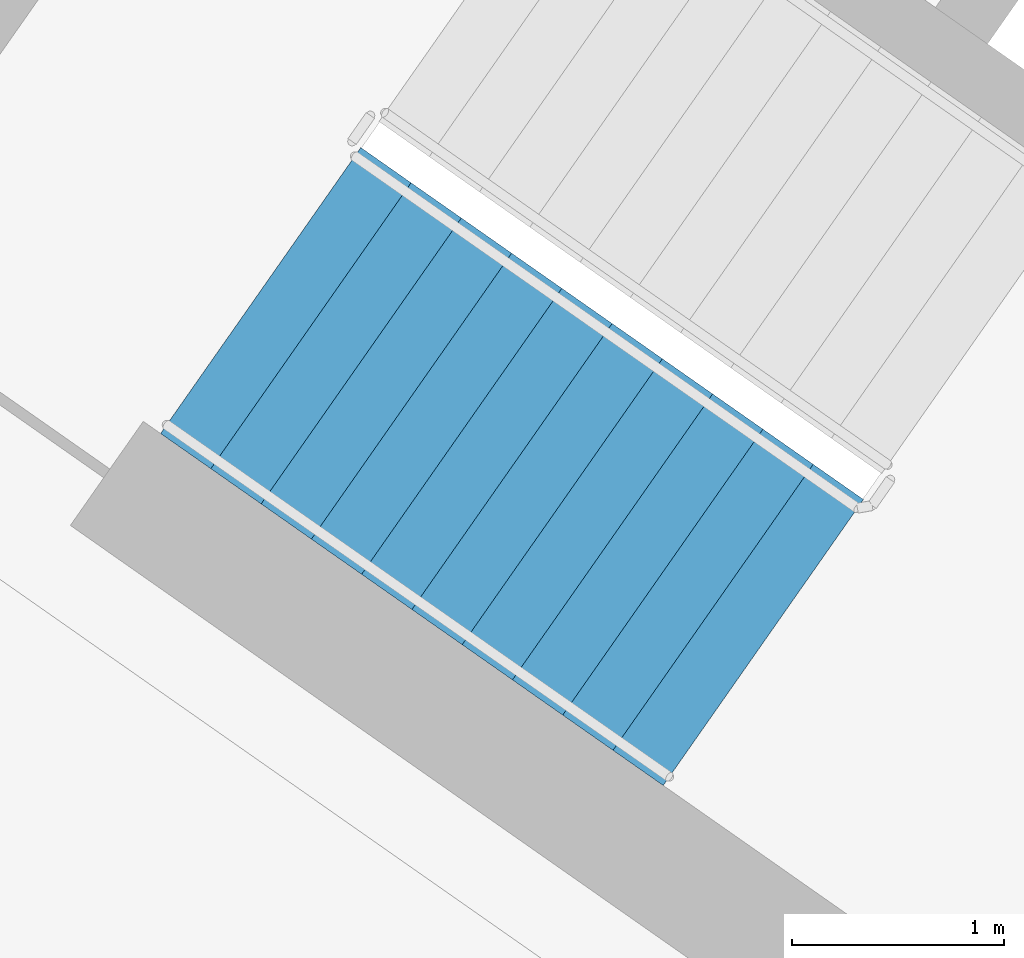
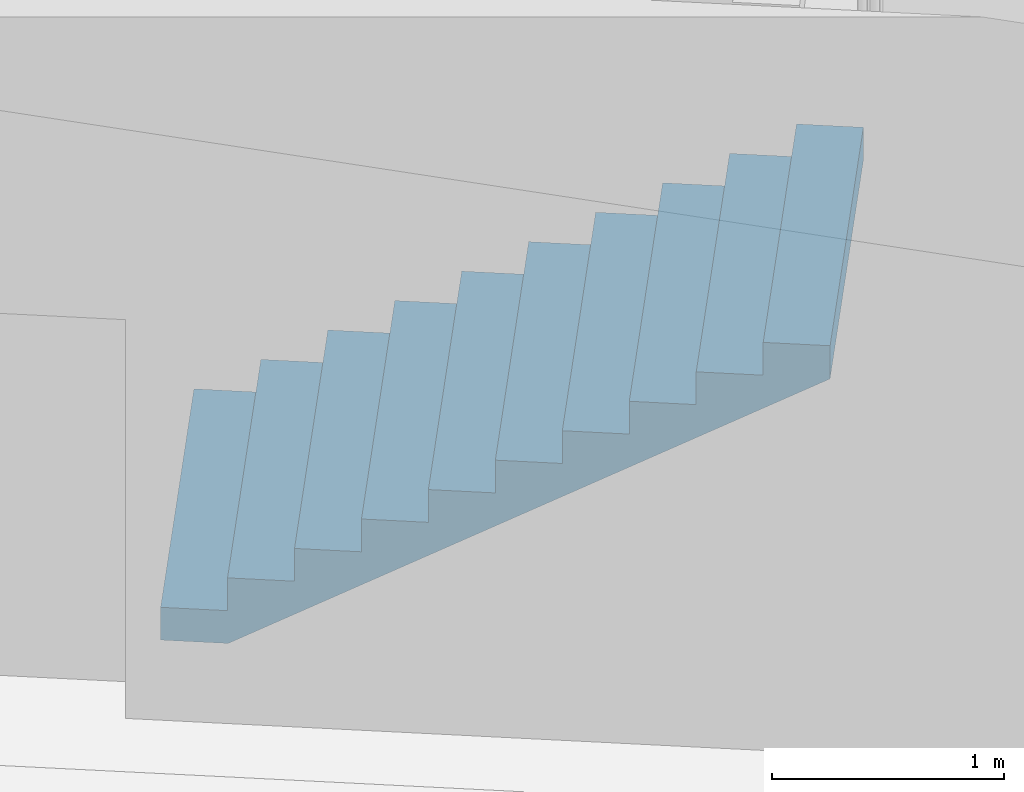
# One storey, part 9 of 28: 1 stair flight, 1 element without a shape of its own.
"""IFC4 building model written with IfcOpenShell, lengths in metres."""

from ifc_helpers import new_model, si_unit, direction, frame, origin, place, context, subcontext, project, spatial, faceted_brep, material, type_object, element, aggregate, save


model = new_model("IFC4")

# Units and contexts
model_context = context("Model", 3, precision=1e-05, world=origin(), true_north=direction((0.0, 1.0)))
body_context = subcontext(model_context, "Body", "Model", "MODEL_VIEW")
ifc_project = project(units=[si_unit("LENGTHUNIT", "METRE"), si_unit("AREAUNIT", "SQUARE_METRE"), si_unit("VOLUMEUNIT", "CUBIC_METRE"), si_unit("PLANEANGLEUNIT", "RADIAN"), si_unit("MASSUNIT", "GRAM", prefix="KILO")], contexts=[model_context])

# Site, building, storey
site_placement = place(None, origin())
site = spatial("IfcSite", under=ifc_project, at=site_placement, CompositionType="ELEMENT")
building_placement = place(site_placement, origin())
building = spatial("IfcBuilding", under=site, at=building_placement, Name="Qamariyya Broadcast Tower", CompositionType="ELEMENT")
storey_placement = place(building_placement, frame((0.0, 0.0, 226.5)))
storey = spatial("IfcBuildingStorey", under=building, at=storey_placement, Name="L54", CompositionType="ELEMENT", Elevation=226.5)

# Stair, stair flight
ifc_material = material(Name="Concrete C50/60", Category="concrete")
stair_type = type_object("IfcStairType", Name="Exit stair 22 risers of 173 mm", PredefinedType="HALF_TURN_STAIR", material=ifc_material)
stair_placement = place(storey_placement, origin())
stair = element("IfcStair", 1, at=stair_placement, inside=storey, type_object=stair_type, Name="L54 Stair W1", PredefinedType="HALF_TURN_STAIR")
stair_flight_type = type_object("IfcStairFlightType", Name="Exit stair flight 11 risers of 173 mm", PredefinedType="STRAIGHT", material=ifc_material)
stair_flight_placement = place(storey_placement, frame((-47.06884765625, -56.982666015625, 0.0), z_axis=(0.0, 0.0, 1.0), x_axis=(0.819152044289, -0.573576436351, 0.0)))
stair_flight = element("IfcStairFlight", 2, at=stair_flight_placement, type_object=stair_flight_type, Name="ST-W1 flight 1", NumberOfRisers=11, NumberOfTreads=10, PredefinedType="STRAIGHT", RiserHeight=0.172727273, TreadLength=0.29, context=body_context, shape_type="Brep", body=[
    faceted_brep([(0.0, 0.824951171875, 0.0), (0.0, 0.824951171875, 0.172607421875), (0.2900390625, 0.824951171875, 0.172607421875), (0.2900390625, 0.824951171875, 0.345458984375), (0.580078125, 0.824951171875, 0.345458984375), (0.580078125, 0.824951171875, 0.51806640625), (0.8701171875, 0.824951171875, 0.51806640625), (0.8701171875, 0.824951171875, 0.69091796875), (1.159912109375, 0.824951171875, 0.69091796875), (1.159912109375, 0.824951171875, 0.863525390625), (1.449951171875, 0.824951171875, 0.863525390625), (1.449951171875, 0.824951171875, 1.036376953125), (1.739990234375, 0.824951171875, 1.036376953125), (1.739990234375, 0.824951171875, 1.208984375), (2.030029296875, 0.824951171875, 1.208984375), (2.030029296875, 0.824951171875, 1.3818359375), (2.320068359375, 0.824951171875, 1.3818359375), (2.320068359375, 0.824951171875, 1.554443359375), (2.610107421875, 0.824951171875, 1.554443359375), (2.610107421875, 0.824951171875, 1.727294921875), (2.89990234375, 0.824951171875, 1.727294921875), (2.89990234375, 0.824951171875, 1.552734375), (0.29296875, 0.824951171875, 0.0), (0.29296875, -0.824951171875, 0.0), (2.89990234375, -0.824951171875, 1.552734375), (2.89990234375, -0.824951171875, 1.727294921875), (2.610107421875, -0.824951171875, 1.727294921875), (2.610107421875, -0.824951171875, 1.554443359375), (2.320068359375, -0.824951171875, 1.554443359375), (2.320068359375, -0.824951171875, 1.3818359375), (2.030029296875, -0.824951171875, 1.3818359375), (2.030029296875, -0.824951171875, 1.208984375), (1.739990234375, -0.824951171875, 1.208984375), (1.739990234375, -0.824951171875, 1.036376953125), (1.449951171875, -0.824951171875, 1.036376953125), (1.449951171875, -0.824951171875, 0.863525390625), (1.159912109375, -0.824951171875, 0.863525390625), (1.159912109375, -0.824951171875, 0.69091796875), (0.8701171875, -0.824951171875, 0.69091796875), (0.8701171875, -0.824951171875, 0.51806640625), (0.580078125, -0.824951171875, 0.51806640625), (0.580078125, -0.824951171875, 0.345458984375), (0.2900390625, -0.824951171875, 0.345458984375), (0.2900390625, -0.824951171875, 0.172607421875), (0.0, -0.824951171875, 0.172607421875), (0.0, -0.824951171875, 0.0), (0.0, 0.10009765625, 0.0), (0.0, 0.086669921875, 0.0), (0.0, 0.0732421875, 0.0), (0.0, 0.06005859375, 0.0), (0.0, 0.046630859375, 0.0), (0.0, 0.033447265625, 0.0), (0.0, 0.02001953125, 0.0), (0.0, 0.006591796875, 0.0), (0.0, -0.006591796875, 0.0), (0.0, -0.02001953125, 0.0), (0.0, -0.033447265625, 0.0), (0.0, -0.046630859375, 0.0), (0.0, -0.06005859375, 0.0), (0.0, -0.0732421875, 0.0), (0.0, -0.086669921875, 0.0), (0.0, -0.10009765625, 0.0), (0.0, -0.10009765625, 0.172607421875), (0.0, -0.086669921875, 0.172607421875), (0.0, -0.0732421875, 0.172607421875), (0.0, -0.06005859375, 0.172607421875), (0.0, -0.046630859375, 0.172607421875), (0.0, -0.033447265625, 0.172607421875), (0.0, -0.02001953125, 0.172607421875), (0.0, -0.006591796875, 0.172607421875), (0.0, 0.006591796875, 0.172607421875), (0.0, 0.02001953125, 0.172607421875), (0.0, 0.033447265625, 0.172607421875), (0.0, 0.046630859375, 0.172607421875), (0.0, 0.06005859375, 0.172607421875), (0.0, 0.0732421875, 0.172607421875), (0.0, 0.086669921875, 0.172607421875), (0.0, 0.10009765625, 0.172607421875), (0.2900390625, -0.10009765625, 0.172607421875), (0.2900390625, -0.086669921875, 0.172607421875), (0.2900390625, -0.0732421875, 0.172607421875), (0.2900390625, -0.06005859375, 0.172607421875), (0.2900390625, -0.046630859375, 0.172607421875), (0.2900390625, -0.033447265625, 0.172607421875), (0.2900390625, -0.02001953125, 0.172607421875), (0.2900390625, -0.006591796875, 0.172607421875), (0.2900390625, 0.006591796875, 0.172607421875), (0.2900390625, 0.02001953125, 0.172607421875), (0.2900390625, 0.033447265625, 0.172607421875), (0.2900390625, 0.046630859375, 0.172607421875), (0.2900390625, 0.06005859375, 0.172607421875), (0.2900390625, 0.0732421875, 0.172607421875), (0.2900390625, 0.086669921875, 0.172607421875), (0.2900390625, 0.10009765625, 0.172607421875), (0.2900390625, -0.10009765625, 0.345458984375), (0.2900390625, -0.086669921875, 0.345458984375), (0.2900390625, -0.0732421875, 0.345458984375), (0.2900390625, -0.06005859375, 0.345458984375), (0.2900390625, -0.046630859375, 0.345458984375), (0.2900390625, -0.033447265625, 0.345458984375), (0.2900390625, -0.02001953125, 0.345458984375), (0.2900390625, -0.006591796875, 0.345458984375), (0.2900390625, 0.006591796875, 0.345458984375), (0.2900390625, 0.02001953125, 0.345458984375), (0.2900390625, 0.033447265625, 0.345458984375), (0.2900390625, 0.046630859375, 0.345458984375), (0.2900390625, 0.06005859375, 0.345458984375), (0.2900390625, 0.0732421875, 0.345458984375), (0.2900390625, 0.086669921875, 0.345458984375), (0.2900390625, 0.10009765625, 0.345458984375), (0.580078125, -0.10009765625, 0.345458984375), (0.580078125, -0.086669921875, 0.345458984375), (0.580078125, -0.0732421875, 0.345458984375), (0.580078125, -0.06005859375, 0.345458984375), (0.580078125, -0.046630859375, 0.345458984375), (0.580078125, -0.033447265625, 0.345458984375), (0.580078125, -0.02001953125, 0.345458984375), (0.580078125, -0.006591796875, 0.345458984375), (0.580078125, 0.006591796875, 0.345458984375), (0.580078125, 0.02001953125, 0.345458984375), (0.580078125, 0.033447265625, 0.345458984375), (0.580078125, 0.046630859375, 0.345458984375), (0.580078125, 0.06005859375, 0.345458984375), (0.580078125, 0.0732421875, 0.345458984375), (0.580078125, 0.086669921875, 0.345458984375), (0.580078125, 0.10009765625, 0.345458984375), (0.580078125, -0.10009765625, 0.51806640625), (0.580078125, -0.086669921875, 0.51806640625), (0.580078125, -0.0732421875, 0.51806640625), (0.580078125, -0.06005859375, 0.51806640625), (0.580078125, -0.046630859375, 0.51806640625), (0.580078125, -0.033447265625, 0.51806640625), (0.580078125, -0.02001953125, 0.51806640625), (0.580078125, -0.006591796875, 0.51806640625), (0.580078125, 0.006591796875, 0.51806640625), (0.580078125, 0.02001953125, 0.51806640625), (0.580078125, 0.033447265625, 0.51806640625), (0.580078125, 0.046630859375, 0.51806640625), (0.580078125, 0.06005859375, 0.51806640625), (0.580078125, 0.0732421875, 0.51806640625), (0.580078125, 0.086669921875, 0.51806640625), (0.580078125, 0.10009765625, 0.51806640625), (0.8701171875, -0.10009765625, 0.51806640625), (0.8701171875, -0.086669921875, 0.51806640625), (0.8701171875, -0.0732421875, 0.51806640625), (0.8701171875, -0.06005859375, 0.51806640625), (0.8701171875, -0.046630859375, 0.51806640625), (0.8701171875, -0.033447265625, 0.51806640625), (0.8701171875, -0.02001953125, 0.51806640625), (0.8701171875, -0.006591796875, 0.51806640625), (0.8701171875, 0.006591796875, 0.51806640625), (0.8701171875, 0.02001953125, 0.51806640625), (0.8701171875, 0.033447265625, 0.51806640625), (0.8701171875, 0.046630859375, 0.51806640625), (0.8701171875, 0.06005859375, 0.51806640625), (0.8701171875, 0.0732421875, 0.51806640625), (0.8701171875, 0.086669921875, 0.51806640625), (0.8701171875, 0.10009765625, 0.51806640625), (0.8701171875, -0.10009765625, 0.69091796875), (0.8701171875, -0.086669921875, 0.69091796875), (0.8701171875, -0.0732421875, 0.69091796875), (0.8701171875, -0.06005859375, 0.69091796875), (0.8701171875, -0.046630859375, 0.69091796875), (0.8701171875, -0.033447265625, 0.69091796875), (0.8701171875, -0.02001953125, 0.69091796875), (0.8701171875, -0.006591796875, 0.69091796875), (0.8701171875, 0.006591796875, 0.69091796875), (0.8701171875, 0.02001953125, 0.69091796875), (0.8701171875, 0.033447265625, 0.69091796875), (0.8701171875, 0.046630859375, 0.69091796875), (0.8701171875, 0.06005859375, 0.69091796875), (0.8701171875, 0.0732421875, 0.69091796875), (0.8701171875, 0.086669921875, 0.69091796875), (0.8701171875, 0.10009765625, 0.69091796875), (1.159912109375, -0.10009765625, 0.69091796875), (1.159912109375, -0.086669921875, 0.69091796875), (1.159912109375, -0.0732421875, 0.69091796875), (1.159912109375, -0.06005859375, 0.69091796875), (1.159912109375, -0.046630859375, 0.69091796875), (1.159912109375, -0.033447265625, 0.69091796875), (1.159912109375, -0.02001953125, 0.69091796875), (1.159912109375, -0.006591796875, 0.69091796875), (1.159912109375, 0.006591796875, 0.69091796875), (1.159912109375, 0.02001953125, 0.69091796875), (1.159912109375, 0.033447265625, 0.69091796875), (1.159912109375, 0.046630859375, 0.69091796875), (1.159912109375, 0.06005859375, 0.69091796875), (1.159912109375, 0.0732421875, 0.69091796875), (1.159912109375, 0.086669921875, 0.69091796875), (1.159912109375, 0.10009765625, 0.69091796875), (1.159912109375, -0.10009765625, 0.863525390625), (1.159912109375, -0.086669921875, 0.863525390625), (1.159912109375, -0.0732421875, 0.863525390625), (1.159912109375, -0.06005859375, 0.863525390625), (1.159912109375, -0.046630859375, 0.863525390625), (1.159912109375, -0.033447265625, 0.863525390625), (1.159912109375, -0.02001953125, 0.863525390625), (1.159912109375, -0.006591796875, 0.863525390625), (1.159912109375, 0.006591796875, 0.863525390625), (1.159912109375, 0.02001953125, 0.863525390625), (1.159912109375, 0.033447265625, 0.863525390625), (1.159912109375, 0.046630859375, 0.863525390625), (1.159912109375, 0.06005859375, 0.863525390625), (1.159912109375, 0.0732421875, 0.863525390625), (1.159912109375, 0.086669921875, 0.863525390625), (1.159912109375, 0.10009765625, 0.863525390625), (1.449951171875, -0.10009765625, 0.863525390625), (1.449951171875, -0.086669921875, 0.863525390625), (1.449951171875, -0.0732421875, 0.863525390625), (1.449951171875, -0.06005859375, 0.863525390625), (1.449951171875, -0.046630859375, 0.863525390625), (1.449951171875, -0.033447265625, 0.863525390625), (1.449951171875, -0.02001953125, 0.863525390625), (1.449951171875, -0.006591796875, 0.863525390625), (1.449951171875, 0.006591796875, 0.863525390625), (1.449951171875, 0.02001953125, 0.863525390625), (1.449951171875, 0.033447265625, 0.863525390625), (1.449951171875, 0.046630859375, 0.863525390625), (1.449951171875, 0.06005859375, 0.863525390625), (1.449951171875, 0.0732421875, 0.863525390625), (1.449951171875, 0.086669921875, 0.863525390625), (1.449951171875, 0.10009765625, 0.863525390625), (1.449951171875, -0.10009765625, 1.036376953125), (1.449951171875, -0.086669921875, 1.036376953125), (1.449951171875, -0.0732421875, 1.036376953125), (1.449951171875, -0.06005859375, 1.036376953125), (1.449951171875, -0.046630859375, 1.036376953125), (1.449951171875, -0.033447265625, 1.036376953125), (1.449951171875, -0.02001953125, 1.036376953125), (1.449951171875, -0.006591796875, 1.036376953125), (1.449951171875, 0.006591796875, 1.036376953125), (1.449951171875, 0.02001953125, 1.036376953125), (1.449951171875, 0.033447265625, 1.036376953125), (1.449951171875, 0.046630859375, 1.036376953125), (1.449951171875, 0.06005859375, 1.036376953125), (1.449951171875, 0.0732421875, 1.036376953125), (1.449951171875, 0.086669921875, 1.036376953125), (1.449951171875, 0.10009765625, 1.036376953125), (1.739990234375, -0.10009765625, 1.036376953125), (1.739990234375, -0.086669921875, 1.036376953125), (1.739990234375, -0.0732421875, 1.036376953125), (1.739990234375, -0.06005859375, 1.036376953125), (1.739990234375, -0.046630859375, 1.036376953125), (1.739990234375, -0.033447265625, 1.036376953125), (1.739990234375, -0.02001953125, 1.036376953125), (1.739990234375, -0.006591796875, 1.036376953125), (1.739990234375, 0.006591796875, 1.036376953125), (1.739990234375, 0.02001953125, 1.036376953125), (1.739990234375, 0.033447265625, 1.036376953125), (1.739990234375, 0.046630859375, 1.036376953125), (1.739990234375, 0.06005859375, 1.036376953125), (1.739990234375, 0.0732421875, 1.036376953125), (1.739990234375, 0.086669921875, 1.036376953125), (1.739990234375, 0.10009765625, 1.036376953125), (1.739990234375, -0.10009765625, 1.208984375), (1.739990234375, -0.086669921875, 1.208984375), (1.739990234375, -0.0732421875, 1.208984375), (1.739990234375, -0.06005859375, 1.208984375), (1.739990234375, -0.046630859375, 1.208984375), (1.739990234375, -0.033447265625, 1.208984375), (1.739990234375, -0.02001953125, 1.208984375), (1.739990234375, -0.006591796875, 1.208984375), (1.739990234375, 0.006591796875, 1.208984375), (1.739990234375, 0.02001953125, 1.208984375), (1.739990234375, 0.033447265625, 1.208984375), (1.739990234375, 0.046630859375, 1.208984375), (1.739990234375, 0.06005859375, 1.208984375), (1.739990234375, 0.0732421875, 1.208984375), (1.739990234375, 0.086669921875, 1.208984375), (1.739990234375, 0.10009765625, 1.208984375), (2.030029296875, -0.10009765625, 1.208984375), (2.030029296875, -0.086669921875, 1.208984375), (2.030029296875, -0.0732421875, 1.208984375), (2.030029296875, -0.06005859375, 1.208984375), (2.030029296875, -0.046630859375, 1.208984375), (2.030029296875, -0.033447265625, 1.208984375), (2.030029296875, -0.02001953125, 1.208984375), (2.030029296875, -0.006591796875, 1.208984375), (2.030029296875, 0.006591796875, 1.208984375), (2.030029296875, 0.02001953125, 1.208984375), (2.030029296875, 0.033447265625, 1.208984375), (2.030029296875, 0.046630859375, 1.208984375), (2.030029296875, 0.06005859375, 1.208984375), (2.030029296875, 0.0732421875, 1.208984375), (2.030029296875, 0.086669921875, 1.208984375), (2.030029296875, 0.10009765625, 1.208984375), (2.030029296875, -0.10009765625, 1.3818359375), (2.030029296875, -0.086669921875, 1.3818359375), (2.030029296875, -0.0732421875, 1.3818359375), (2.030029296875, -0.06005859375, 1.3818359375), (2.030029296875, -0.046630859375, 1.3818359375), (2.030029296875, -0.033447265625, 1.3818359375), (2.030029296875, -0.02001953125, 1.3818359375), (2.030029296875, -0.006591796875, 1.3818359375), (2.030029296875, 0.006591796875, 1.3818359375), (2.030029296875, 0.02001953125, 1.3818359375), (2.030029296875, 0.033447265625, 1.3818359375), (2.030029296875, 0.046630859375, 1.3818359375), (2.030029296875, 0.06005859375, 1.3818359375), (2.030029296875, 0.0732421875, 1.3818359375), (2.030029296875, 0.086669921875, 1.3818359375), (2.030029296875, 0.10009765625, 1.3818359375), (2.320068359375, -0.10009765625, 1.3818359375), (2.320068359375, -0.086669921875, 1.3818359375), (2.320068359375, -0.0732421875, 1.3818359375), (2.320068359375, -0.06005859375, 1.3818359375), (2.320068359375, -0.046630859375, 1.3818359375), (2.320068359375, -0.033447265625, 1.3818359375), (2.320068359375, -0.02001953125, 1.3818359375), (2.320068359375, -0.006591796875, 1.3818359375), (2.320068359375, 0.006591796875, 1.3818359375), (2.320068359375, 0.02001953125, 1.3818359375), (2.320068359375, 0.033447265625, 1.3818359375), (2.320068359375, 0.046630859375, 1.3818359375), (2.320068359375, 0.06005859375, 1.3818359375), (2.320068359375, 0.0732421875, 1.3818359375), (2.320068359375, 0.086669921875, 1.3818359375), (2.320068359375, 0.10009765625, 1.3818359375), (2.320068359375, -0.10009765625, 1.554443359375), (2.320068359375, -0.086669921875, 1.554443359375), (2.320068359375, -0.0732421875, 1.554443359375), (2.320068359375, -0.06005859375, 1.554443359375), (2.320068359375, -0.046630859375, 1.554443359375), (2.320068359375, -0.033447265625, 1.554443359375), (2.320068359375, -0.02001953125, 1.554443359375), (2.320068359375, -0.006591796875, 1.554443359375), (2.320068359375, 0.006591796875, 1.554443359375), (2.320068359375, 0.02001953125, 1.554443359375), (2.320068359375, 0.033447265625, 1.554443359375), (2.320068359375, 0.046630859375, 1.554443359375), (2.320068359375, 0.06005859375, 1.554443359375), (2.320068359375, 0.0732421875, 1.554443359375), (2.320068359375, 0.086669921875, 1.554443359375), (2.320068359375, 0.10009765625, 1.554443359375), (2.610107421875, -0.10009765625, 1.554443359375), (2.610107421875, -0.086669921875, 1.554443359375), (2.610107421875, -0.0732421875, 1.554443359375), (2.610107421875, -0.06005859375, 1.554443359375), (2.610107421875, -0.046630859375, 1.554443359375), (2.610107421875, -0.033447265625, 1.554443359375), (2.610107421875, -0.02001953125, 1.554443359375), (2.610107421875, -0.006591796875, 1.554443359375), (2.610107421875, 0.006591796875, 1.554443359375), (2.610107421875, 0.02001953125, 1.554443359375), (2.610107421875, 0.033447265625, 1.554443359375), (2.610107421875, 0.046630859375, 1.554443359375), (2.610107421875, 0.06005859375, 1.554443359375), (2.610107421875, 0.0732421875, 1.554443359375), (2.610107421875, 0.086669921875, 1.554443359375), (2.610107421875, 0.10009765625, 1.554443359375), (2.610107421875, -0.10009765625, 1.727294921875), (2.610107421875, -0.086669921875, 1.727294921875), (2.610107421875, -0.0732421875, 1.727294921875), (2.610107421875, -0.06005859375, 1.727294921875), (2.610107421875, -0.046630859375, 1.727294921875), (2.610107421875, -0.033447265625, 1.727294921875), (2.610107421875, -0.02001953125, 1.727294921875), (2.610107421875, -0.006591796875, 1.727294921875), (2.610107421875, 0.006591796875, 1.727294921875), (2.610107421875, 0.02001953125, 1.727294921875), (2.610107421875, 0.033447265625, 1.727294921875), (2.610107421875, 0.046630859375, 1.727294921875), (2.610107421875, 0.06005859375, 1.727294921875), (2.610107421875, 0.0732421875, 1.727294921875), (2.610107421875, 0.086669921875, 1.727294921875), (2.610107421875, 0.10009765625, 1.727294921875), (2.89990234375, -0.10009765625, 1.727294921875), (2.89990234375, -0.086669921875, 1.727294921875), (2.89990234375, -0.0732421875, 1.727294921875), (2.89990234375, -0.06005859375, 1.727294921875), (2.89990234375, -0.046630859375, 1.727294921875), (2.89990234375, -0.033447265625, 1.727294921875), (2.89990234375, -0.02001953125, 1.727294921875), (2.89990234375, -0.006591796875, 1.727294921875), (2.89990234375, 0.006591796875, 1.727294921875), (2.89990234375, 0.02001953125, 1.727294921875), (2.89990234375, 0.033447265625, 1.727294921875), (2.89990234375, 0.046630859375, 1.727294921875), (2.89990234375, 0.06005859375, 1.727294921875), (2.89990234375, 0.0732421875, 1.727294921875), (2.89990234375, 0.086669921875, 1.727294921875), (2.89990234375, 0.10009765625, 1.727294921875), (2.89990234375, -0.10009765625, 1.552734375), (2.89990234375, -0.086669921875, 1.552734375), (2.89990234375, -0.0732421875, 1.552734375), (2.89990234375, -0.06005859375, 1.552734375), (2.89990234375, -0.046630859375, 1.552734375), (2.89990234375, -0.033447265625, 1.552734375), (2.89990234375, -0.02001953125, 1.552734375), (2.89990234375, -0.006591796875, 1.552734375), (2.89990234375, 0.006591796875, 1.552734375), (2.89990234375, 0.02001953125, 1.552734375), (2.89990234375, 0.033447265625, 1.552734375), (2.89990234375, 0.046630859375, 1.552734375), (2.89990234375, 0.06005859375, 1.552734375), (2.89990234375, 0.0732421875, 1.552734375), (2.89990234375, 0.086669921875, 1.552734375), (2.89990234375, 0.10009765625, 1.552734375), (0.29296875, -0.10009765625, 0.0), (0.29296875, -0.086669921875, 0.0), (0.29296875, -0.0732421875, 0.0), (0.29296875, -0.06005859375, 0.0), (0.29296875, -0.046630859375, 0.0), (0.29296875, -0.033447265625, 0.0), (0.29296875, -0.02001953125, 0.0), (0.29296875, -0.006591796875, 0.0), (0.29296875, 0.006591796875, 0.0), (0.29296875, 0.02001953125, 0.0), (0.29296875, 0.033447265625, 0.0), (0.29296875, 0.046630859375, 0.0), (0.29296875, 0.06005859375, 0.0), (0.29296875, 0.0732421875, 0.0), (0.29296875, 0.086669921875, 0.0), (0.29296875, 0.10009765625, 0.0)], [[[0, 1, 2, 3, 4, 5, 6, 7, 8, 9, 10, 11, 12, 13, 14, 15, 16, 17, 18, 19, 20, 21, 22]], [[23, 24, 25, 26, 27, 28, 29, 30, 31, 32, 33, 34, 35, 36, 37, 38, 39, 40, 41, 42, 43, 44, 45]], [[0, 46, 47, 48, 49, 50, 51, 52, 53, 54, 55, 56, 57, 58, 59, 60, 61, 45, 44, 62, 63, 64, 65, 66, 67, 68, 69, 70, 71, 72, 73, 74, 75, 76, 77, 1]], [[1, 77, 76, 75, 74, 73, 72, 71, 70, 69, 68, 67, 66, 65, 64, 63, 62, 44, 43, 78, 79, 80, 81, 82, 83, 84, 85, 86, 87, 88, 89, 90, 91, 92, 93, 2]], [[2, 93, 92, 91, 90, 89, 88, 87, 86, 85, 84, 83, 82, 81, 80, 79, 78, 43, 42, 94, 95, 96, 97, 98, 99, 100, 101, 102, 103, 104, 105, 106, 107, 108, 109, 3]], [[3, 109, 108, 107, 106, 105, 104, 103, 102, 101, 100, 99, 98, 97, 96, 95, 94, 42, 41, 110, 111, 112, 113, 114, 115, 116, 117, 118, 119, 120, 121, 122, 123, 124, 125, 4]], [[4, 125, 124, 123, 122, 121, 120, 119, 118, 117, 116, 115, 114, 113, 112, 111, 110, 41, 40, 126, 127, 128, 129, 130, 131, 132, 133, 134, 135, 136, 137, 138, 139, 140, 141, 5]], [[5, 141, 140, 139, 138, 137, 136, 135, 134, 133, 132, 131, 130, 129, 128, 127, 126, 40, 39, 142, 143, 144, 145, 146, 147, 148, 149, 150, 151, 152, 153, 154, 155, 156, 157, 6]], [[6, 157, 156, 155, 154, 153, 152, 151, 150, 149, 148, 147, 146, 145, 144, 143, 142, 39, 38, 158, 159, 160, 161, 162, 163, 164, 165, 166, 167, 168, 169, 170, 171, 172, 173, 7]], [[7, 173, 172, 171, 170, 169, 168, 167, 166, 165, 164, 163, 162, 161, 160, 159, 158, 38, 37, 174, 175, 176, 177, 178, 179, 180, 181, 182, 183, 184, 185, 186, 187, 188, 189, 8]], [[8, 189, 188, 187, 186, 185, 184, 183, 182, 181, 180, 179, 178, 177, 176, 175, 174, 37, 36, 190, 191, 192, 193, 194, 195, 196, 197, 198, 199, 200, 201, 202, 203, 204, 205, 9]], [[9, 205, 204, 203, 202, 201, 200, 199, 198, 197, 196, 195, 194, 193, 192, 191, 190, 36, 35, 206, 207, 208, 209, 210, 211, 212, 213, 214, 215, 216, 217, 218, 219, 220, 221, 10]], [[10, 221, 220, 219, 218, 217, 216, 215, 214, 213, 212, 211, 210, 209, 208, 207, 206, 35, 34, 222, 223, 224, 225, 226, 227, 228, 229, 230, 231, 232, 233, 234, 235, 236, 237, 11]], [[11, 237, 236, 235, 234, 233, 232, 231, 230, 229, 228, 227, 226, 225, 224, 223, 222, 34, 33, 238, 239, 240, 241, 242, 243, 244, 245, 246, 247, 248, 249, 250, 251, 252, 253, 12]], [[12, 253, 252, 251, 250, 249, 248, 247, 246, 245, 244, 243, 242, 241, 240, 239, 238, 33, 32, 254, 255, 256, 257, 258, 259, 260, 261, 262, 263, 264, 265, 266, 267, 268, 269, 13]], [[13, 269, 268, 267, 266, 265, 264, 263, 262, 261, 260, 259, 258, 257, 256, 255, 254, 32, 31, 270, 271, 272, 273, 274, 275, 276, 277, 278, 279, 280, 281, 282, 283, 284, 285, 14]], [[14, 285, 284, 283, 282, 281, 280, 279, 278, 277, 276, 275, 274, 273, 272, 271, 270, 31, 30, 286, 287, 288, 289, 290, 291, 292, 293, 294, 295, 296, 297, 298, 299, 300, 301, 15]], [[15, 301, 300, 299, 298, 297, 296, 295, 294, 293, 292, 291, 290, 289, 288, 287, 286, 30, 29, 302, 303, 304, 305, 306, 307, 308, 309, 310, 311, 312, 313, 314, 315, 316, 317, 16]], [[16, 317, 316, 315, 314, 313, 312, 311, 310, 309, 308, 307, 306, 305, 304, 303, 302, 29, 28, 318, 319, 320, 321, 322, 323, 324, 325, 326, 327, 328, 329, 330, 331, 332, 333, 17]], [[17, 333, 332, 331, 330, 329, 328, 327, 326, 325, 324, 323, 322, 321, 320, 319, 318, 28, 27, 334, 335, 336, 337, 338, 339, 340, 341, 342, 343, 344, 345, 346, 347, 348, 349, 18]], [[18, 349, 348, 347, 346, 345, 344, 343, 342, 341, 340, 339, 338, 337, 336, 335, 334, 27, 26, 350, 351, 352, 353, 354, 355, 356, 357, 358, 359, 360, 361, 362, 363, 364, 365, 19]], [[19, 365, 364, 363, 362, 361, 360, 359, 358, 357, 356, 355, 354, 353, 352, 351, 350, 26, 25, 366, 367, 368, 369, 370, 371, 372, 373, 374, 375, 376, 377, 378, 379, 380, 381, 20]], [[20, 381, 380, 379, 378, 377, 376, 375, 374, 373, 372, 371, 370, 369, 368, 367, 366, 25, 24, 382, 383, 384, 385, 386, 387, 388, 389, 390, 391, 392, 393, 394, 395, 396, 397, 21]], [[21, 397, 396, 395, 394, 393, 392, 391, 390, 389, 388, 387, 386, 385, 384, 383, 382, 24, 23, 398, 399, 400, 401, 402, 403, 404, 405, 406, 407, 408, 409, 410, 411, 412, 413, 22]], [[22, 413, 412, 411, 410, 409, 408, 407, 406, 405, 404, 403, 402, 401, 400, 399, 398, 23, 45, 61, 60, 59, 58, 57, 56, 55, 54, 53, 52, 51, 50, 49, 48, 47, 46, 0]]]),
])
aggregate(stair, [stair_flight])

save(model, "model.ifc")
